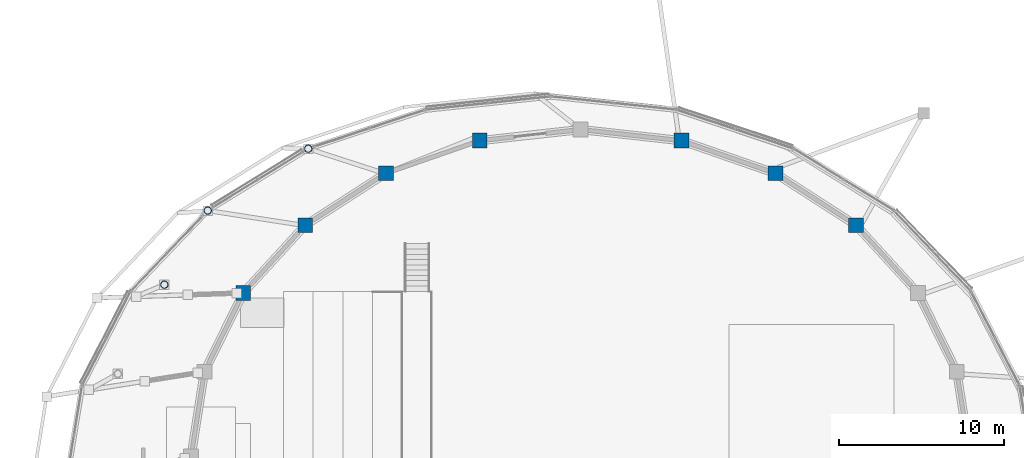
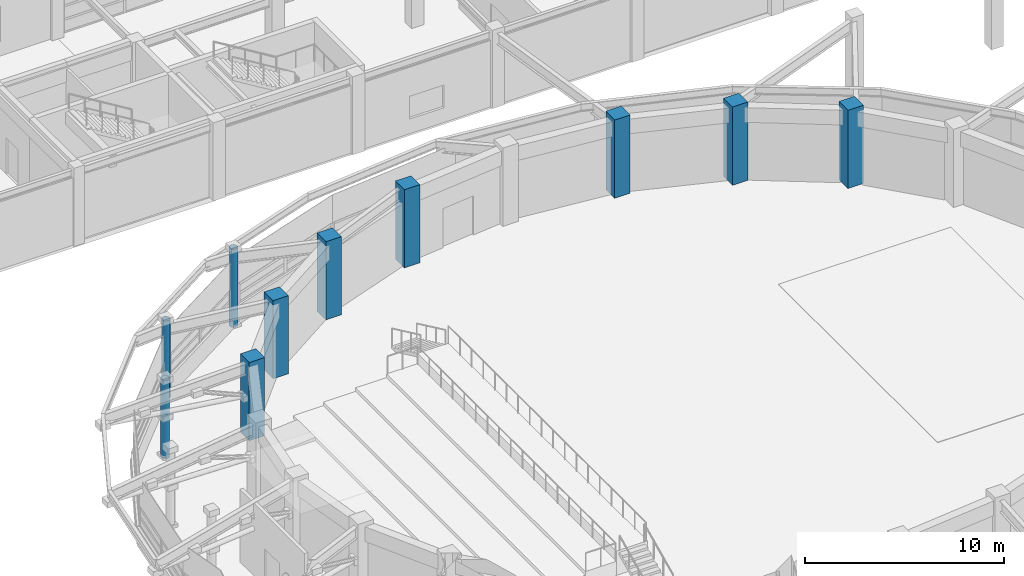
# One storey, part 2 of 56: 10 columns.
"""IFC4 building model written with IfcOpenShell, lengths in metres."""

from ifc_helpers import new_model, si_unit, direction, frame, origin, origin_2d, place, context, subcontext, project, spatial, rectangle, hollow_circle, extrude, material, material_profile, profile_set, type_object, element, save


model = new_model("IFC4")

# Units and contexts
model_context = context("Model", 3, precision=1e-05, world=origin(), true_north=direction((0.0, 1.0)))
body_context = subcontext(model_context, "Body", "Model", "MODEL_VIEW")
ifc_project = project(units=[si_unit("LENGTHUNIT", "METRE"), si_unit("AREAUNIT", "SQUARE_METRE"), si_unit("VOLUMEUNIT", "CUBIC_METRE"), si_unit("PLANEANGLEUNIT", "RADIAN"), si_unit("MASSUNIT", "GRAM", prefix="KILO")], contexts=[model_context])

# Site, building, storey
site_placement = place(None, origin())
site = spatial("IfcSite", under=ifc_project, at=site_placement, CompositionType="ELEMENT")
building_placement = place(site_placement, origin())
building = spatial("IfcBuilding", under=site, at=building_placement, Name="Parian Resonance Hall", CompositionType="ELEMENT")
storey_placement = place(building_placement, frame((0.0, 0.0, 5.39990234375)))
storey = spatial("IfcBuildingStorey", under=building, at=storey_placement, Name="L01", CompositionType="ELEMENT", Elevation=5.39990234375)

# Columns
ifc_material_1 = material(Name="Hollow structural steel S355", Category="steel")
ifc_material_profile_1 = material_profile(ifc_material_1, hollow_circle(Radius=0.228515625, WallThickness=0.02001953125, at=origin_2d()), Name="CHS457x20")
ifc_profile_set_1 = profile_set([ifc_material_profile_1], Name="Hollow structural steel S355")
column_type_1 = type_object("IfcColumnType", Name="COL-CHS457", PredefinedType="COLUMN", material=ifc_profile_set_1)
for number, where, z_axis, x_axis, name in (
    (1, (27.5, 62.63818359375, 0.0), (0.0, 0.0, 1.0), (1.0, 0.0, 0.0), "Column RNG-09 L01"),
    (2, (21.4111328125, 58.8876953125, 0.0), (0.0, 0.0, 1.0), (1.0, 0.0, 0.0), "Column RNG-10 L01"),
    (3, (18.778076171875, 54.39990234375, 0.0), (0.0, 0.0, 1.0), (1.0, 0.0, 0.0), "Column RNG-11 L01"),
):
    element("IfcColumn", number, at=place(storey_placement, frame(where, z_axis=z_axis, x_axis=x_axis)), inside=storey, type_object=column_type_1, Name=name, PredefinedType="COLUMN", context=body_context, shape_type="SweptSolid", body=[
        extrude(hollow_circle(Radius=0.228515625, WallThickness=0.02001953125, at=origin_2d()), origin(), (0.0, 0.0, 1.0), 4.800048828125),
    ])
ifc_material_2 = material(Name="Concrete C40/50", Category="concrete")
ifc_material_profile_2 = material_profile(ifc_material_2, rectangle(XDim=0.89990234375, YDim=0.89990234375, at=origin_2d()), Name="RC-COL-900x900")
ifc_profile_set_2 = profile_set([ifc_material_profile_2], Name="Concrete C40/50")
column_type_2 = type_object("IfcColumnType", Name="COL-RC900", PredefinedType="COLUMN", material=ifc_profile_set_2)
for number, where, z_axis, x_axis, name in (
    (4, (60.687744140625, 58.000732421875, 0.0), (0.0, 0.0, 1.0), (1.0, 0.0, 0.0), "Column DRM-04 L01"),
    (5, (55.800048828125, 61.147216796875, 0.0), (0.0, 0.0, 1.0), (1.0, 0.0, 0.0), "Column DRM-05 L01"),
    (6, (50.108154296875, 63.125244140625, 0.0), (0.0, 0.0, 1.0), (1.0, 0.0, 0.0), "Column DRM-06 L01"),
    (7, (37.891845703125, 63.125244140625, 0.0), (0.0, 0.0, 1.0), (1.0, 0.0, 0.0), "Column DRM-08 L01"),
    (8, (32.199951171875, 61.147216796875, 0.0), (0.0, 0.0, 1.0), (1.0, 0.0, 0.0), "Column DRM-09 L01"),
    (9, (27.312255859375, 58.000732421875, 0.0), (0.0, 0.0, 1.0), (1.0, 0.0, 0.0), "Column DRM-10 L01"),
    (10, (23.561767578125, 53.89990234375, 0.0), (0.0, 0.0, 1.0), (1.0, 0.0, 0.0), "Column DRM-11 L01"),
):
    element("IfcColumn", number, at=place(storey_placement, frame(where, z_axis=z_axis, x_axis=x_axis)), inside=storey, type_object=column_type_2, Name=name, PredefinedType="COLUMN", context=body_context, shape_type="SweptSolid", body=[
        extrude(rectangle(XDim=0.89990234375, YDim=0.89990234375, at=origin_2d()), origin(), (0.0, 0.0, 1.0), 4.800048828125),
    ])

save(model, "model.ifc")
